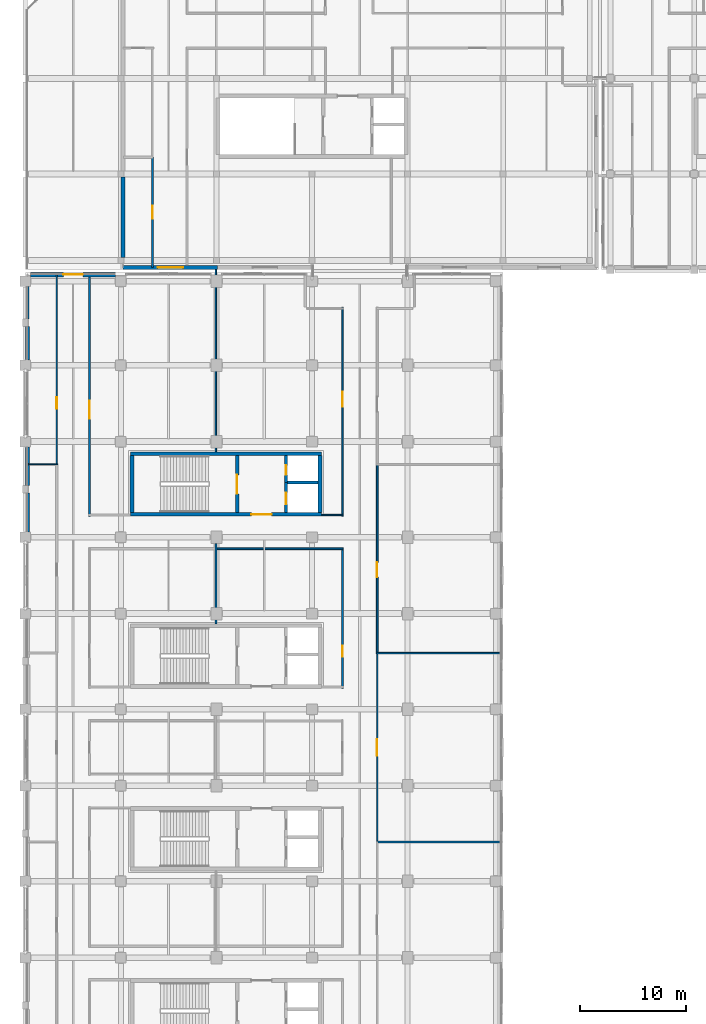
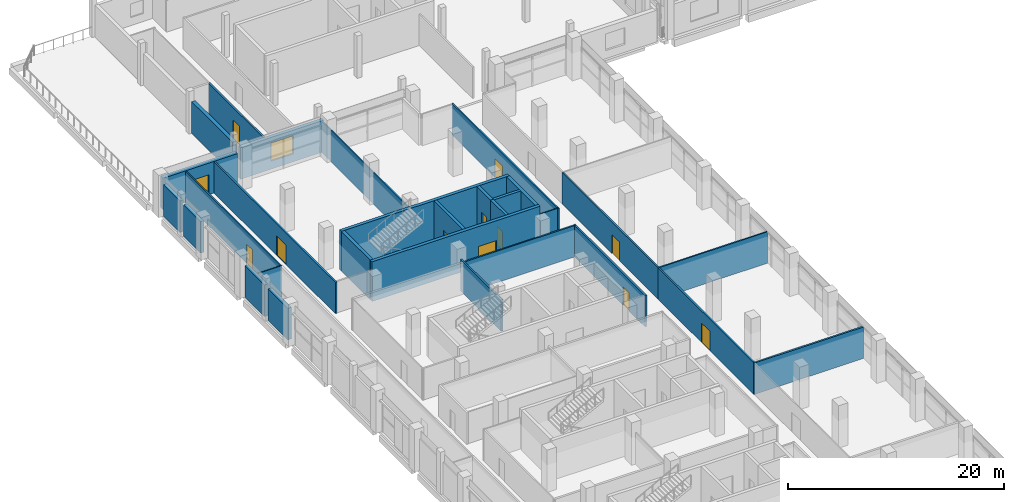
# One storey, part 71 of 111: 29 walls, 12 doors, 1 window, 13 openings.
"""IFC4 building model written with IfcOpenShell, lengths in metres."""

from ifc_helpers import new_model, si_unit, direction, frame, frame_2d, origin, place, context, subcontext, project, spatial, rectangle, extrude, material, layer, layer_set, type_object, element, fill, save


model = new_model("IFC4")

# Units and contexts
model_context = context("Model", 3, precision=1e-05, world=origin(), true_north=direction((0.0, 1.0)))
body_context = subcontext(model_context, "Body", "Model", "MODEL_VIEW")
ifc_project = project(units=[si_unit("LENGTHUNIT", "METRE"), si_unit("AREAUNIT", "SQUARE_METRE"), si_unit("VOLUMEUNIT", "CUBIC_METRE"), si_unit("PLANEANGLEUNIT", "RADIAN"), si_unit("MASSUNIT", "GRAM", prefix="KILO"), si_unit("THERMODYNAMICTEMPERATUREUNIT", "KELVIN"), si_unit("POWERUNIT", "WATT")], contexts=[model_context])

# Site, building, storey
site_placement = place(None, origin())
site = spatial("IfcSite", under=ifc_project, at=site_placement, CompositionType="ELEMENT")
building_placement = place(site_placement, origin())
building = spatial("IfcBuilding", under=site, at=building_placement, Name="Sindhuravela Promenade Stadium", CompositionType="ELEMENT")
storey_placement = place(building_placement, frame((0.0, 0.0, 9.60009765625)))
storey = spatial("IfcBuildingStorey", under=building, at=storey_placement, Name="L02", CompositionType="ELEMENT", Elevation=9.60009765625)

# Walls
ifc_material_1 = material(Name="Terracotta clay brick masonry (15 MPa)", Category="masonry")
ifc_layer_1 = layer(ifc_material_1, 0.340087890625)
ifc_layer_set_1 = layer_set([ifc_layer_1], Name="Terracotta clay brick masonry (15 MPa)")
wall_type_1 = type_object("IfcWallType", Name="EX-WL-BRK340", PredefinedType="SOLIDWALL", material=ifc_layer_set_1)
wall_1_placement = place(storey_placement, frame((0.199951171875, 121.35498046875, 0.0), z_axis=(0.0, 0.0, 1.0), x_axis=(0.0, 1.0, 0.0)))
element("IfcWall", 1, at=wall_1_placement, inside=storey, type_object=wall_type_1, Name="Exterior masonry wall EW06 WEST L02", PredefinedType="SOLIDWALL", context=body_context, shape_type="SweptSolid", body=[
    extrude(rectangle(XDim=3.0400390625, YDim=0.340087890625, at=frame_2d((1.52001953125, 0.0))), origin(), (0.0, 0.0, 1.0), 3.579833984375),
])
ifc_layer_2 = layer(ifc_material_1, 0.360107421875)
ifc_layer_set_2 = layer_set([ifc_layer_2], Name="Terracotta clay brick masonry (15 MPa)")
wall_type_2 = type_object("IfcWallType", Name="EX-WL-BRK360", PredefinedType="SOLIDWALL", material=ifc_layer_set_2)
wall_2_placement = place(storey_placement, frame((0.199951171875, 117.5048828125, 0.0), z_axis=(0.0, 0.0, 1.0), x_axis=(0.0, 1.0, 0.0)))
element("IfcWall", 2, at=wall_2_placement, inside=storey, type_object=wall_type_2, Name="Exterior masonry wall EW05 WEST L02", PredefinedType="SOLIDWALL", context=body_context, shape_type="SweptSolid", body=[
    extrude(rectangle(XDim=3.14013671875, YDim=0.360107421875, at=frame_2d((1.570068359375, 0.0))), origin(), (0.0, 0.0, 1.0), 3.579833984375),
])
ifc_layer_3 = layer(ifc_material_1, 0.3798828125)
ifc_layer_set_3 = layer_set([ifc_layer_3], Name="Terracotta clay brick masonry (15 MPa)")
wall_type_3 = type_object("IfcWallType", Name="EX-WL-BRK380", PredefinedType="SOLIDWALL", material=ifc_layer_set_3)
wall_3_placement = place(storey_placement, frame((0.199951171875, 105.655029296875, 0.0), z_axis=(0.0, 0.0, 1.0), x_axis=(0.0, 1.0, 0.0)))
element("IfcWall", 3, at=wall_3_placement, inside=storey, type_object=wall_type_3, Name="Exterior masonry wall EW04 WEST L02", PredefinedType="SOLIDWALL", context=body_context, shape_type="SweptSolid", body=[
    extrude(rectangle(XDim=3.639892578125, YDim=0.3798828125, at=frame_2d((1.81982421875, 0.0))), origin(), (0.0, 0.0, 1.0), 3.579833984375),
])

# Wall, opening, window
wall_4_placement = place(storey_placement, frame((18.1201171875, 126.199951171875, 0.0), z_axis=(0.0, 0.0, 1.0), x_axis=(-1.0, 0.0, 0.0)))
wall_4 = element("IfcWall", 4, at=wall_4_placement, inside=storey, type_object=wall_type_3, Name="Exterior masonry wall EW04 Pavilion NW L02", PredefinedType="SOLIDWALL", context=body_context, shape_type="SweptSolid", body=[
    extrude(rectangle(XDim=8.920166015625, YDim=0.3798828125, at=frame_2d((4.4599609375, 0.0))), origin(), (0.0, 0.0, 1.0), 3.579833984375),
])
opening_1_placement = place(wall_4_placement, frame((3.260009765625, 0.0, 0.89990234375)))
opening_1 = element("IfcOpeningElement", 5, at=opening_1_placement, cuts=wall_4, Name="Opening W14", PredefinedType="OPENING", context=body_context, shape_type="SweptSolid", body=[
    extrude(rectangle(XDim=2.39990234375, YDim=2.050048828125, at=frame_2d((1.199951171875, 1.02490234375))), frame((0.0, 0.199951171875, 0.0), z_axis=(0.0, -1.0, 0.0), x_axis=(1.0, 0.0, 0.0)), (0.0, 0.0, 1.0), 0.39990234375),
])
ifc_material_2 = material(Name="Tempered laminated low-E glass", Category="glass")
window_type = type_object("IfcWindowType", Name="WN-FAC-2400x2050", PartitioningType="DOUBLE_PANEL_VERTICAL", PredefinedType="WINDOW", material=ifc_material_2)
window_placement = place(opening_1_placement, origin())
window = element("IfcWindow", 6, at=window_placement, inside=storey, type_object=window_type, Name="Window W14 Pavilion NW L02", OverallHeight=2.050048828125, OverallWidth=2.39990234375, PartitioningType="DOUBLE_PANEL_VERTICAL", PredefinedType="WINDOW", context=body_context, shape_type="SweptSolid", body=[
    extrude(rectangle(XDim=2.39990234375, YDim=2.050048828125, at=frame_2d((1.199951171875, 1.02490234375))), frame((0.0, 0.030029296875, 0.0), z_axis=(0.0, -1.0, 0.0), x_axis=(1.0, 0.0, 0.0)), (0.0, 0.0, 1.0), 0.06005859375),
])
fill(opening_1, window)

# Walls
ifc_layer_4 = layer(ifc_material_1, 0.39990234375)
ifc_layer_set_4 = layer_set([ifc_layer_4], Name="Terracotta clay brick masonry (15 MPa)")
wall_type_4 = type_object("IfcWallType", Name="EX-WL-BRK400", PredefinedType="SOLIDWALL", material=ifc_layer_set_4)
wall_5_placement = place(storey_placement, frame((0.199951171875, 101.304931640625, 0.0), z_axis=(0.0, 0.0, 1.0), x_axis=(0.0, 1.0, 0.0)))
element("IfcWall", 7, at=wall_5_placement, inside=storey, type_object=wall_type_4, Name="Exterior masonry wall EW03 WEST L02", PredefinedType="SOLIDWALL", context=body_context, shape_type="SweptSolid", body=[
    extrude(rectangle(XDim=3.64013671875, YDim=0.39990234375, at=frame_2d((1.820068359375, 0.0))), origin(), (0.0, 0.0, 1.0), 3.579833984375),
])
wall_6_placement = place(storey_placement, frame((9.199951171875, 127.1298828125, 0.0), z_axis=(0.0, 0.0, 1.0), x_axis=(0.0, 1.0, 0.0)))
element("IfcWall", 8, at=wall_6_placement, inside=storey, type_object=wall_type_4, Name="Exterior masonry wall EW03 Pavilion NW L02", PredefinedType="SOLIDWALL", context=body_context, shape_type="SweptSolid", body=[
    extrude(rectangle(XDim=7.590087890625, YDim=0.39990234375, at=frame_2d((3.794921875, 0.0))), origin(), (0.0, 0.0, 1.0), 3.579833984375),
])

# Wall, opening, door
ifc_layer_5 = layer(ifc_material_1, 0.4599609375)
ifc_layer_set_5 = layer_set([ifc_layer_5], Name="Terracotta clay brick masonry (15 MPa)")
wall_type_5 = type_object("IfcWallType", Name="EX-WL-BRK460", PredefinedType="SOLIDWALL", material=ifc_layer_set_5)
wall_7_placement = place(storey_placement, frame((0.5048828125, 125.550048828125, 0.0), z_axis=(0.0, 0.0, 1.0), x_axis=(1.0, 0.0, 0.0)))
wall_7 = element("IfcWall", 9, at=wall_7_placement, inside=storey, type_object=wall_type_5, Name="Exterior masonry wall EW01 WEST L02", PredefinedType="SOLIDWALL", context=body_context, shape_type="SweptSolid", body=[
    extrude(rectangle(XDim=7.990234375, YDim=0.4599609375, at=frame_2d((3.9951171875, 0.0))), origin(), (0.0, 0.0, 1.0), 3.579833984375),
])
opening_2_placement = place(wall_7_placement, frame((3.070068359375, 0.0, 0.0)))
opening_2 = element("IfcOpeningElement", 10, at=opening_2_placement, cuts=wall_7, Name="Opening TD02", PredefinedType="OPENING", context=body_context, shape_type="SweptSolid", body=[
    extrude(rectangle(XDim=1.85009765625, YDim=2.25, at=frame_2d((0.925048828125, 1.125))), frame((0.0, 0.239990234375, 0.0), z_axis=(0.0, -1.0, 0.0), x_axis=(1.0, 0.0, 0.0)), (0.0, 0.0, 1.0), 0.47998046875),
])
ifc_material_3 = material(Name="Anodised architectural aluminium 6063-T6", Category="aluminium")
door_type_1 = type_object("IfcDoorType", Name="DR-TER-1850x2250", OperationType="DOUBLE_DOOR_SINGLE_SWING", PredefinedType="DOOR", material=ifc_material_3)
door_1_placement = place(opening_2_placement, origin())
door_1 = element("IfcDoor", 11, at=door_1_placement, inside=storey, type_object=door_type_1, Name="Terrace access door NW Pavilion West Terrace", OperationType="DOUBLE_DOOR_SINGLE_SWING", OverallHeight=2.25, OverallWidth=1.85009765625, PredefinedType="DOOR", context=body_context, shape_type="SweptSolid", body=[
    extrude(rectangle(XDim=1.85009765625, YDim=2.25, at=frame_2d((0.925048828125, 1.125))), frame((0.0, 0.02490234375, 0.0), z_axis=(0.0, -1.0, 0.0), x_axis=(1.0, 0.0, 0.0)), (0.0, 0.0, 1.0), 0.050048828125),
])
fill(opening_2, door_1)

# Walls
ifc_material_4 = material(Name="Fire-rated gypsum partition board", Category="gypsum")
ifc_layer_6 = layer(ifc_material_4, 0.110107421875)
ifc_layer_set_6 = layer_set([ifc_layer_6], Name="Fire-rated gypsum partition board")
wall_type_6 = type_object("IfcWallType", Name="IN-WL-PAR110", PredefinedType="PARTITIONING", material=ifc_layer_set_6)
wall_8_placement = place(storey_placement, frame((29.93994140625, 102.889892578125, 0.0), z_axis=(0.0, 0.0, 1.0), x_axis=(-1.0, 0.0, 0.0)))
element("IfcWall", 12, at=wall_8_placement, inside=storey, type_object=wall_type_6, Name="Interior partition IW06 WEST L02", PredefinedType="PARTITIONING", context=body_context, shape_type="SweptSolid", body=[
    extrude(rectangle(XDim=2.037841796875, YDim=0.110107421875, at=frame_2d((1.01904296875, 0.0))), origin(), (0.0, 0.0, 1.0), 3.559814453125),
])
wall_9_placement = place(storey_placement, frame((3.0400390625, 107.657958984375, 0.0), z_axis=(0.0, 0.0, 1.0), x_axis=(-1.0, 0.0, 0.0)))
element("IfcWall", 13, at=wall_9_placement, inside=storey, type_object=wall_type_6, Name="Interior partition IW06 WEST L02", PredefinedType="PARTITIONING", context=body_context, shape_type="SweptSolid", body=[
    extrude(rectangle(XDim=2.800048828125, YDim=0.110107421875, at=frame_2d((1.39990234375, 0.0))), origin(), (0.0, 0.0, 1.0), 3.559814453125),
])
ifc_layer_7 = layer(ifc_material_4, 0.1298828125)
ifc_layer_set_7 = layer_set([ifc_layer_7], Name="Fire-rated gypsum partition board")
wall_type_7 = type_object("IfcWallType", Name="IN-WL-PAR130", PredefinedType="PARTITIONING", material=ifc_layer_set_7)
wall_10_placement = place(storey_placement, frame((17.949951171875, 126.007080078125, 0.0), z_axis=(0.0, 0.0, 1.0), x_axis=(0.0, -1.0, 0.0)))
element("IfcWall", 14, at=wall_10_placement, inside=storey, type_object=wall_type_7, Name="Interior partition IW05 WEST L02", PredefinedType="PARTITIONING", context=body_context, shape_type="SweptSolid", body=[
    extrude(rectangle(XDim=17.18017578125, YDim=0.1298828125, at=frame_2d((8.590087890625, 0.0))), origin(), (0.0, 0.0, 1.0), 3.559814453125),
])

# Wall, opening, door
wall_11_placement = place(storey_placement, frame((2.9599609375, 107.657958984375, 0.0), z_axis=(0.0, 0.0, 1.0), x_axis=(0.0, 1.0, 0.0)))
wall_11 = element("IfcWall", 15, at=wall_11_placement, inside=storey, type_object=wall_type_7, Name="Corridor partition IW05 Members Dining Hall West 10", PredefinedType="PARTITIONING", context=body_context, shape_type="SweptSolid", body=[
    extrude(rectangle(XDim=17.89208984375, YDim=0.1298828125, at=frame_2d((8.946044921875, 0.0))), origin(), (0.0, 0.0, 1.0), 3.559814453125),
])
opening_3_placement = place(wall_11_placement, frame((5.228515625, 0.0, 0.0)))
opening_3 = element("IfcOpeningElement", 16, at=opening_3_placement, cuts=wall_11, Name="Opening ID12", PredefinedType="OPENING", context=body_context, shape_type="SweptSolid", body=[
    extrude(rectangle(XDim=1.080078125, YDim=2.179931640625, at=frame_2d((0.5400390625, 1.08984375))), frame((0.0, 0.074951171875, 0.0), z_axis=(0.0, -1.0, 0.0), x_axis=(1.0, 0.0, 0.0)), (0.0, 0.0, 1.0), 0.14990234375),
])
ifc_material_5 = material(Name="Architectural teak timber leaf", Category="wood")
door_type_2 = type_object("IfcDoorType", Name="DR-INT-1080x2180", OperationType="NOTDEFINED", PredefinedType="DOOR", material=ifc_material_5)
door_2_placement = place(opening_3_placement, origin())
door_2 = element("IfcDoor", 17, at=door_2_placement, inside=storey, type_object=door_type_2, Name="Members Dining Hall West 10 door", OperationType="SINGLE_SWING_LEFT", OverallHeight=2.179931640625, OverallWidth=1.080078125, PredefinedType="DOOR", context=body_context, shape_type="SweptSolid", body=[
    extrude(rectangle(XDim=1.080078125, YDim=2.179931640625, at=frame_2d((0.5400390625, 1.08984375))), frame((0.0, 0.02490234375, 0.0), z_axis=(0.0, -1.0, 0.0), x_axis=(1.0, 0.0, 0.0)), (0.0, 0.0, 1.0), 0.050048828125),
])
fill(opening_3, door_2)

# Wall
ifc_layer_8 = layer(ifc_material_4, 0.14990234375)
ifc_layer_set_8 = layer_set([ifc_layer_8], Name="Fire-rated gypsum partition board")
wall_type_8 = type_object("IfcWallType", Name="IN-WL-PAR150", PredefinedType="PARTITIONING", material=ifc_layer_set_8)
wall_12_placement = place(storey_placement, frame((44.76708984375, 89.885986328125, 0.0), z_axis=(0.0, 0.0, 1.0), x_axis=(-1.0, 0.0, 0.0)))
element("IfcWall", 18, at=wall_12_placement, inside=storey, type_object=wall_type_8, Name="Interior partition IW04 WEST L02", PredefinedType="PARTITIONING", context=body_context, shape_type="SweptSolid", body=[
    extrude(rectangle(XDim=11.70703125, YDim=0.14990234375, at=frame_2d((5.853515625, 0.0))), origin(), (0.0, 0.0, 1.0), 3.559814453125),
])

# Wall, opening, door
wall_13_placement = place(storey_placement, frame((29.860107421875, 102.77001953125, 0.0), z_axis=(0.0, 0.0, 1.0), x_axis=(0.0, 1.0, 0.0)))
wall_13 = element("IfcWall", 19, at=wall_13_placement, inside=storey, type_object=wall_type_8, Name="Corridor partition IW04 VIP Coat and Concierge Room", PredefinedType="PARTITIONING", context=body_context, shape_type="SweptSolid", body=[
    extrude(rectangle(XDim=19.68994140625, YDim=0.14990234375, at=frame_2d((9.844970703125, 0.0))), origin(), (0.0, 0.0, 1.0), 3.559814453125),
])
opening_4_placement = place(wall_13_placement, frame((10.31201171875, 0.0, 0.0)))
opening_4 = element("IfcOpeningElement", 20, at=opening_4_placement, cuts=wall_13, Name="Opening ID03", PredefinedType="OPENING", context=body_context, shape_type="SweptSolid", body=[
    extrude(rectangle(XDim=1.39990234375, YDim=2.14990234375, at=frame_2d((0.699951171875, 1.074951171875))), frame((0.0, 0.0849609375, 0.0), z_axis=(0.0, -1.0, 0.0), x_axis=(1.0, 0.0, 0.0)), (0.0, 0.0, 1.0), 0.169921875),
])
door_type_3 = type_object("IfcDoorType", Name="DR-INT-1400x2150", OperationType="DOUBLE_DOOR_SINGLE_SWING", PredefinedType="DOOR", material=ifc_material_5)
door_3_placement = place(opening_4_placement, origin())
door_3 = element("IfcDoor", 21, at=door_3_placement, inside=storey, type_object=door_type_3, Name="VIP Coat and Concierge Room door", OperationType="DOUBLE_DOOR_SINGLE_SWING", OverallHeight=2.14990234375, OverallWidth=1.39990234375, PredefinedType="DOOR", context=body_context, shape_type="SweptSolid", body=[
    extrude(rectangle(XDim=1.39990234375, YDim=2.14990234375, at=frame_2d((0.699951171875, 1.074951171875))), frame((0.0, 0.02490234375, 0.0), z_axis=(0.0, -1.0, 0.0), x_axis=(1.0, 0.0, 0.0)), (0.0, 0.0, 1.0), 0.050048828125),
])
fill(opening_4, door_3)

# Wall
wall_14_placement = place(storey_placement, frame((17.989990234375, 99.7099609375, 0.0), z_axis=(0.0, 0.0, 1.0), x_axis=(1.0, 0.0, 0.0)))
element("IfcWall", 22, at=wall_14_placement, inside=storey, type_object=wall_type_8, Name="Interior partition IW04 WEST L02", PredefinedType="PARTITIONING", context=body_context, shape_type="SweptSolid", body=[
    extrude(rectangle(XDim=11.949951171875, YDim=0.14990234375, at=frame_2d((5.97509765625, 0.0))), origin(), (0.0, 0.0, 1.0), 3.559814453125),
])

# Wall, opening, door
ifc_layer_9 = layer(ifc_material_4, 0.175048828125)
ifc_layer_set_9 = layer_set([ifc_layer_9], Name="Fire-rated gypsum partition board")
wall_type_9 = type_object("IfcWallType", Name="IN-WL-PAR175", PredefinedType="PARTITIONING", material=ifc_layer_set_9)
wall_15_placement = place(storey_placement, frame((6.0400390625, 125.550048828125, 0.0), z_axis=(0.0, 0.0, 1.0), x_axis=(0.0, -1.0, 0.0)))
wall_15 = element("IfcWall", 23, at=wall_15_placement, inside=storey, type_object=wall_type_9, Name="Corridor partition IW03 Club Tier Fixed Seating Stands West", PredefinedType="PARTITIONING", context=body_context, shape_type="SweptSolid", body=[
    extrude(rectangle(XDim=22.780029296875, YDim=0.175048828125, at=frame_2d((11.39013671875, 0.0))), origin(), (0.0, 0.0, 1.0), 3.559814453125),
])
opening_5_placement = place(wall_15_placement, frame((11.892333984375, 0.0, 0.0)))
opening_5 = element("IfcOpeningElement", 24, at=opening_5_placement, cuts=wall_15, Name="Opening ID01", PredefinedType="OPENING", context=body_context, shape_type="SweptSolid", body=[
    extrude(rectangle(XDim=1.699951171875, YDim=2.199951171875, at=frame_2d((0.85009765625, 1.10009765625))), frame((0.0, 0.097412109375, 0.0), z_axis=(0.0, -1.0, 0.0), x_axis=(1.0, 0.0, 0.0)), (0.0, 0.0, 1.0), 0.195068359375),
])
door_type_4 = type_object("IfcDoorType", Name="DR-INT-1700x2200", OperationType="DOUBLE_DOOR_SINGLE_SWING", PredefinedType="DOOR", material=ifc_material_5)
door_4_placement = place(opening_5_placement, origin())
door_4 = element("IfcDoor", 25, at=door_4_placement, inside=storey, type_object=door_type_4, Name="Club Tier Fixed Seating Stands West door", OperationType="DOUBLE_DOOR_SINGLE_SWING", OverallHeight=2.199951171875, OverallWidth=1.699951171875, PredefinedType="DOOR", context=body_context, shape_type="SweptSolid", body=[
    extrude(rectangle(XDim=1.699951171875, YDim=2.199951171875, at=frame_2d((0.85009765625, 1.10009765625))), frame((0.0, 0.02490234375, 0.0), z_axis=(0.0, -1.0, 0.0), x_axis=(1.0, 0.0, 0.0)), (0.0, 0.0, 1.0), 0.050048828125),
])
fill(opening_5, door_4)

wall_16_placement = place(storey_placement, frame((33.139892578125, 107.657958984375, 0.0), z_axis=(0.0, 0.0, 1.0), x_axis=(0.0, -1.0, 0.0)))
wall_16 = element("IfcWall", 26, at=wall_16_placement, inside=storey, type_object=wall_type_9, Name="Corridor partition IW03 Members Dining Hall West", PredefinedType="PARTITIONING", context=body_context, shape_type="SweptSolid", body=[
    extrude(rectangle(XDim=17.77197265625, YDim=0.175048828125, at=frame_2d((8.885986328125, 0.0))), origin(), (0.0, 0.0, 1.0), 3.559814453125),
])
opening_6_placement = place(wall_16_placement, frame((9.23779296875, 0.0, 0.0)))
opening_6 = element("IfcOpeningElement", 27, at=opening_6_placement, cuts=wall_16, Name="Opening ID03", PredefinedType="OPENING", context=body_context, shape_type="SweptSolid", body=[
    extrude(rectangle(XDim=1.39990234375, YDim=2.14990234375, at=frame_2d((0.699951171875, 1.074951171875))), frame((0.0, 0.097412109375, 0.0), z_axis=(0.0, -1.0, 0.0), x_axis=(1.0, 0.0, 0.0)), (0.0, 0.0, 1.0), 0.195068359375),
])
door_5_placement = place(opening_6_placement, origin())
door_5 = element("IfcDoor", 28, at=door_5_placement, inside=storey, type_object=door_type_3, Name="Members Dining Hall West door", OperationType="DOUBLE_DOOR_SINGLE_SWING", OverallHeight=2.14990234375, OverallWidth=1.39990234375, PredefinedType="DOOR", context=body_context, shape_type="SweptSolid", body=[
    extrude(rectangle(XDim=1.39990234375, YDim=2.14990234375, at=frame_2d((0.699951171875, 1.074951171875))), frame((0.0, 0.02490234375, 0.0), z_axis=(0.0, -1.0, 0.0), x_axis=(1.0, 0.0, 0.0)), (0.0, 0.0, 1.0), 0.050048828125),
])
fill(opening_6, door_5)

wall_17_placement = place(storey_placement, frame((33.139892578125, 89.885986328125, 0.0), z_axis=(0.0, 0.0, 1.0), x_axis=(0.0, -1.0, 0.0)))
wall_17 = element("IfcWall", 29, at=wall_17_placement, inside=storey, type_object=wall_type_9, Name="Corridor partition IW03 Directors Reception Lounge", PredefinedType="PARTITIONING", context=body_context, shape_type="SweptSolid", body=[
    extrude(rectangle(XDim=17.77197265625, YDim=0.175048828125, at=frame_2d((8.885986328125, 0.0))), origin(), (0.0, 0.0, 1.0), 3.559814453125),
])
opening_7_placement = place(wall_17_placement, frame((8.111083984375, 0.0, 0.0)))
opening_7 = element("IfcOpeningElement", 30, at=opening_7_placement, cuts=wall_17, Name="Opening ID02", PredefinedType="OPENING", context=body_context, shape_type="SweptSolid", body=[
    extrude(rectangle(XDim=1.550048828125, YDim=2.199951171875, at=frame_2d((0.77490234375, 1.10009765625))), frame((0.0, 0.097412109375, 0.0), z_axis=(0.0, -1.0, 0.0), x_axis=(1.0, 0.0, 0.0)), (0.0, 0.0, 1.0), 0.195068359375),
])
door_type_5 = type_object("IfcDoorType", Name="DR-INT-1550x2200", OperationType="DOUBLE_DOOR_SINGLE_SWING", PredefinedType="DOOR", material=ifc_material_5)
door_6_placement = place(opening_7_placement, origin())
door_6 = element("IfcDoor", 31, at=door_6_placement, inside=storey, type_object=door_type_5, Name="Directors Reception Lounge door", OperationType="DOUBLE_DOOR_SINGLE_SWING", OverallHeight=2.199951171875, OverallWidth=1.550048828125, PredefinedType="DOOR", context=body_context, shape_type="SweptSolid", body=[
    extrude(rectangle(XDim=1.550048828125, YDim=2.199951171875, at=frame_2d((0.77490234375, 1.10009765625))), frame((0.0, 0.02490234375, 0.0), z_axis=(0.0, -1.0, 0.0), x_axis=(1.0, 0.0, 0.0)), (0.0, 0.0, 1.0), 0.050048828125),
])
fill(opening_7, door_6)

# Walls
ifc_layer_10 = layer(ifc_material_4, 0.195068359375)
ifc_layer_set_10 = layer_set([ifc_layer_10], Name="Fire-rated gypsum partition board")
wall_type_10 = type_object("IfcWallType", Name="IN-WL-PAR195", PredefinedType="PARTITIONING", material=ifc_layer_set_10)
wall_18_placement = place(storey_placement, frame((33.06005859375, 72.114013671875, 0.0), z_axis=(0.0, 0.0, 1.0), x_axis=(1.0, 0.0, 0.0)))
element("IfcWall", 32, at=wall_18_placement, inside=storey, type_object=wall_type_10, Name="Interior partition IW02 WEST L02", PredefinedType="PARTITIONING", context=body_context, shape_type="SweptSolid", body=[
    extrude(rectangle(XDim=11.70703125, YDim=0.195068359375, at=frame_2d((5.853515625, 0.0))), origin(), (0.0, 0.0, 1.0), 3.559814453125),
])
wall_19_placement = place(storey_placement, frame((17.949951171875, 100.197998046875, 0.0), z_axis=(0.0, 0.0, 1.0), x_axis=(0.0, -1.0, 0.0)))
element("IfcWall", 33, at=wall_19_placement, inside=storey, type_object=wall_type_10, Name="Interior partition IW02 WEST L02", PredefinedType="PARTITIONING", context=body_context, shape_type="SweptSolid", body=[
    extrude(rectangle(XDim=7.571044921875, YDim=0.195068359375, at=frame_2d((3.78564453125, 0.0))), origin(), (0.0, 0.0, 1.0), 3.559814453125),
])

# Wall, opening, door
wall_20_placement = place(storey_placement, frame((29.860107421875, 86.570068359375, 0.0), z_axis=(0.0, 0.0, 1.0), x_axis=(0.0, 1.0, 0.0)))
wall_20 = element("IfcWall", 34, at=wall_20_placement, inside=storey, type_object=wall_type_10, Name="Corridor partition IW02 Directors Reception Lounge 5", PredefinedType="PARTITIONING", context=body_context, shape_type="SweptSolid", body=[
    extrude(rectangle(XDim=13.260009765625, YDim=0.195068359375, at=frame_2d((6.6298828125, 0.0))), origin(), (0.0, 0.0, 1.0), 3.559814453125),
])
opening_8_placement = place(wall_20_placement, frame((2.980224609375, 0.0, 0.0)))
opening_8 = element("IfcOpeningElement", 35, at=opening_8_placement, cuts=wall_20, Name="Opening ID07", PredefinedType="OPENING", context=body_context, shape_type="SweptSolid", body=[
    extrude(rectangle(XDim=1.050048828125, YDim=2.10009765625, at=frame_2d((0.52490234375, 1.050048828125))), frame((0.0, 0.107421875, 0.0), z_axis=(0.0, -1.0, 0.0), x_axis=(1.0, 0.0, 0.0)), (0.0, 0.0, 1.0), 0.215087890625),
])
door_type_6 = type_object("IfcDoorType", Name="DR-INT-1050x2100", OperationType="NOTDEFINED", PredefinedType="DOOR", material=ifc_material_5)
door_7_placement = place(opening_8_placement, origin())
door_7 = element("IfcDoor", 36, at=door_7_placement, inside=storey, type_object=door_type_6, Name="Directors Reception Lounge 5 door", OperationType="SINGLE_SWING_RIGHT", OverallHeight=2.10009765625, OverallWidth=1.050048828125, PredefinedType="DOOR", context=body_context, shape_type="SweptSolid", body=[
    extrude(rectangle(XDim=1.050048828125, YDim=2.10009765625, at=frame_2d((0.52490234375, 1.050048828125))), frame((0.0, 0.02490234375, 0.0), z_axis=(0.0, -1.0, 0.0), x_axis=(1.0, 0.0, 0.0)), (0.0, 0.0, 1.0), 0.050048828125),
])
fill(opening_8, door_7)

wall_21_placement = place(storey_placement, frame((11.9599609375, 126.199951171875, 0.0), z_axis=(0.0, 0.0, 1.0), x_axis=(0.0, 1.0, 0.0)))
wall_21 = element("IfcWall", 37, at=wall_21_placement, inside=storey, type_object=wall_type_10, Name="Corridor partition IW02 Accessible WC NW L02 4", PredefinedType="PARTITIONING", context=body_context, shape_type="SweptSolid", body=[
    extrude(rectangle(XDim=10.39013671875, YDim=0.195068359375, at=frame_2d((5.195068359375, 0.0))), origin(), (0.0, 0.0, 1.0), 3.559814453125),
])
opening_9_placement = place(wall_21_placement, frame((4.570068359375, 0.0, 0.0)))
opening_9 = element("IfcOpeningElement", 38, at=opening_9_placement, cuts=wall_21, Name="Opening ID04", PredefinedType="OPENING", context=body_context, shape_type="SweptSolid", body=[
    extrude(rectangle(XDim=1.25, YDim=2.14990234375, at=frame_2d((0.625, 1.074951171875))), frame((0.0, 0.107421875, 0.0), z_axis=(0.0, -1.0, 0.0), x_axis=(1.0, 0.0, 0.0)), (0.0, 0.0, 1.0), 0.215087890625),
])
door_type_7 = type_object("IfcDoorType", Name="DR-INT-1250x2150", OperationType="NOTDEFINED", PredefinedType="DOOR", material=ifc_material_5)
door_8_placement = place(opening_9_placement, origin())
door_8 = element("IfcDoor", 39, at=door_8_placement, inside=storey, type_object=door_type_7, Name="Accessible WC NW L02 4 door", OperationType="SINGLE_SWING_RIGHT", OverallHeight=2.14990234375, OverallWidth=1.25, PredefinedType="DOOR", context=body_context, shape_type="SweptSolid", body=[
    extrude(rectangle(XDim=1.25, YDim=2.14990234375, at=frame_2d((0.625, 1.074951171875))), frame((0.0, 0.02490234375, 0.0), z_axis=(0.0, -1.0, 0.0), x_axis=(1.0, 0.0, 0.0)), (0.0, 0.0, 1.0), 0.050048828125),
])
fill(opening_9, door_8)

ifc_material_6 = material(Name="Concrete M50", Category="concrete")
ifc_layer_11 = layer(ifc_material_6, 0.300048828125)
ifc_layer_set_11 = layer_set([ifc_layer_11], Name="Concrete M50")
wall_type_11 = type_object("IfcWallType", Name="RC-SW-300", PredefinedType="SHEAR", material=ifc_layer_set_11)
wall_22_placement = place(storey_placement, frame((19.949951171875, 103.125, 0.0), z_axis=(0.0, 0.0, 1.0), x_axis=(0.0, 1.0, 0.0)))
wall_22 = element("IfcWall", 40, at=wall_22_placement, inside=storey, type_object=wall_type_11, Name="Core shear wall C04-ST (L02)", PredefinedType="SHEAR", context=body_context, shape_type="SweptSolid", body=[
    extrude(rectangle(XDim=5.35009765625, YDim=0.300048828125, at=frame_2d((2.675048828125, 0.0))), origin(), (0.0, 0.0, 1.0), 4.5),
])
opening_10_placement = place(wall_22_placement, frame((1.75, 0.0, 0.0)))
opening_10 = element("IfcOpeningElement", 41, at=opening_10_placement, cuts=wall_22, Name="Opening FD01", PredefinedType="OPENING", context=body_context, shape_type="SweptSolid", body=[
    extrude(rectangle(XDim=1.800048828125, YDim=2.25, at=frame_2d((0.89990234375, 1.125))), frame((0.0, 0.159912109375, 0.0), z_axis=(0.0, -1.0, 0.0), x_axis=(1.0, 0.0, 0.0)), (0.0, 0.0, 1.0), 0.320068359375),
])
ifc_material_7 = material(Name="Architectural wrought steel E350", Category="steel")
door_type_8 = type_object("IfcDoorType", Name="DR-CORE-1800x2250", OperationType="DOUBLE_DOOR_SINGLE_SWING", PredefinedType="DOOR", material=ifc_material_7)
door_9_placement = place(opening_10_placement, origin())
door_9 = element("IfcDoor", 42, at=door_9_placement, inside=storey, type_object=door_type_8, Name="Stair ST04 lobby fire door (L02)", OperationType="DOUBLE_DOOR_SINGLE_SWING", OverallHeight=2.25, OverallWidth=1.800048828125, PredefinedType="DOOR", context=body_context, shape_type="SweptSolid", body=[
    extrude(rectangle(XDim=1.800048828125, YDim=2.25, at=frame_2d((0.89990234375, 1.125))), frame((0.0, 0.02490234375, 0.0), z_axis=(0.0, -1.0, 0.0), x_axis=(1.0, 0.0, 0.0)), (0.0, 0.0, 1.0), 0.050048828125),
])
fill(opening_10, door_9)

wall_23_placement = place(storey_placement, frame((24.550048828125, 103.125, 0.0), z_axis=(0.0, 0.0, 1.0), x_axis=(0.0, 1.0, 0.0)))
wall_23 = element("IfcWall", 43, at=wall_23_placement, inside=storey, type_object=wall_type_11, Name="Core shear wall C04-LFT (L02)", PredefinedType="SHEAR", context=body_context, shape_type="SweptSolid", body=[
    extrude(rectangle(XDim=2.824951171875, YDim=0.300048828125, at=frame_2d((1.41259765625, 0.0))), origin(), (0.0, 0.0, 1.0), 4.5),
])
opening_11_placement = place(wall_23_placement, frame((0.77490234375, 0.0, 0.0)))
opening_11 = element("IfcOpeningElement", 44, at=opening_11_placement, cuts=wall_23, Name="Opening LD", PredefinedType="OPENING", context=body_context, shape_type="SweptSolid", body=[
    extrude(rectangle(XDim=1.10009765625, YDim=2.10009765625, at=frame_2d((0.550048828125, 1.050048828125))), frame((0.0, 0.159912109375, 0.0), z_axis=(0.0, -1.0, 0.0), x_axis=(1.0, 0.0, 0.0)), (0.0, 0.0, 1.0), 0.320068359375),
])
door_type_9 = type_object("IfcDoorType", Name="DR-LFT-1100x2100", OperationType="DOUBLE_DOOR_SLIDING", PredefinedType="DOOR", material=ifc_material_7)
door_10_placement = place(opening_11_placement, origin())
door_10 = element("IfcDoor", 45, at=door_10_placement, inside=storey, type_object=door_type_9, Name="Lift FL04 landing door (L02)", OperationType="DOUBLE_DOOR_SLIDING", OverallHeight=2.10009765625, OverallWidth=1.10009765625, PredefinedType="DOOR", context=body_context, shape_type="SweptSolid", body=[
    extrude(rectangle(XDim=1.10009765625, YDim=2.10009765625, at=frame_2d((0.550048828125, 1.050048828125))), frame((0.0, 0.02490234375, 0.0), z_axis=(0.0, -1.0, 0.0), x_axis=(1.0, 0.0, 0.0)), (0.0, 0.0, 1.0), 0.050048828125),
])
fill(opening_11, door_10)

wall_24_placement = place(storey_placement, frame((24.550048828125, 105.949951171875, 0.0), z_axis=(0.0, 0.0, 1.0), x_axis=(0.0, 1.0, 0.0)))
wall_24 = element("IfcWall", 46, at=wall_24_placement, inside=storey, type_object=wall_type_11, Name="Core shear wall C04-RSR (L02)", PredefinedType="SHEAR", context=body_context, shape_type="SweptSolid", body=[
    extrude(rectangle(XDim=2.525146484375, YDim=0.300048828125, at=frame_2d((1.2626953125, 0.0))), origin(), (0.0, 0.0, 1.0), 4.5),
])
opening_12_placement = place(wall_24_placement, frame((0.72509765625, 0.0, 0.0)))
opening_12 = element("IfcOpeningElement", 47, at=opening_12_placement, cuts=wall_24, Name="Opening FD03", PredefinedType="OPENING", context=body_context, shape_type="SweptSolid", body=[
    extrude(rectangle(XDim=0.89990234375, YDim=2.10009765625, at=frame_2d((0.449951171875, 1.050048828125))), frame((0.0, 0.159912109375, 0.0), z_axis=(0.0, -1.0, 0.0), x_axis=(1.0, 0.0, 0.0)), (0.0, 0.0, 1.0), 0.320068359375),
])
door_type_10 = type_object("IfcDoorType", Name="DR-RSR-900x2100", OperationType="NOTDEFINED", PredefinedType="DOOR", material=ifc_material_7)
door_11_placement = place(opening_12_placement, origin())
door_11 = element("IfcDoor", 48, at=door_11_placement, inside=storey, type_object=door_type_10, Name="Riser shaft access door C04 (L02)", OperationType="SINGLE_SWING_LEFT", OverallHeight=2.10009765625, OverallWidth=0.89990234375, PredefinedType="DOOR", context=body_context, shape_type="SweptSolid", body=[
    extrude(rectangle(XDim=0.89990234375, YDim=2.10009765625, at=frame_2d((0.449951171875, 1.050048828125))), frame((0.0, 0.02490234375, 0.0), z_axis=(0.0, -1.0, 0.0), x_axis=(1.0, 0.0, 0.0)), (0.0, 0.0, 1.0), 0.050048828125),
])
fill(opening_12, door_11)

# Wall
wall_25_placement = place(storey_placement, frame((24.699951171875, 105.949951171875, 0.0), z_axis=(0.0, 0.0, 1.0), x_axis=(1.0, 0.0, 0.0)))
element("IfcWall", 49, at=wall_25_placement, inside=storey, type_object=wall_type_11, Name="Core shear wall C04-DIV (L02)", PredefinedType="SHEAR", context=body_context, shape_type="SweptSolid", body=[
    extrude(rectangle(XDim=2.875, YDim=0.300048828125, at=frame_2d((1.4375, 0.0))), origin(), (0.0, 0.0, 1.0), 4.5),
])

# Wall, opening, door
ifc_layer_12 = layer(ifc_material_6, 0.35009765625)
ifc_layer_set_12 = layer_set([ifc_layer_12], Name="Concrete M50")
wall_type_12 = type_object("IfcWallType", Name="RC-SW-350", PredefinedType="SHEAR", material=ifc_layer_set_12)
wall_26_placement = place(storey_placement, frame((9.89990234375, 102.949951171875, 0.0), z_axis=(0.0, 0.0, 1.0), x_axis=(1.0, 0.0, 0.0)))
wall_26 = element("IfcWall", 50, at=wall_26_placement, inside=storey, type_object=wall_type_12, Name="Core shear wall C04-S (L02)", PredefinedType="SHEAR", context=body_context, shape_type="SweptSolid", body=[
    extrude(rectangle(XDim=18.0, YDim=0.35009765625, at=frame_2d((9.0, 0.0))), origin(), (0.0, 0.0, 1.0), 4.5),
])
opening_13_placement = place(wall_26_placement, frame((11.39990234375, 0.0, 0.0)))
opening_13 = element("IfcOpeningElement", 51, at=opening_13_placement, cuts=wall_26, Name="Opening FD02", PredefinedType="OPENING", context=body_context, shape_type="SweptSolid", body=[
    extrude(rectangle(XDim=1.89990234375, YDim=2.25, at=frame_2d((0.949951171875, 1.125))), frame((0.0, 0.18505859375, 0.0), z_axis=(0.0, -1.0, 0.0), x_axis=(1.0, 0.0, 0.0)), (0.0, 0.0, 1.0), 0.3701171875),
])
door_type_11 = type_object("IfcDoorType", Name="DR-LOB-1900x2250", OperationType="DOUBLE_DOOR_SINGLE_SWING", PredefinedType="DOOR", material=ifc_material_7)
door_12_placement = place(opening_13_placement, origin())
door_12 = element("IfcDoor", 52, at=door_12_placement, inside=storey, type_object=door_type_11, Name="Protected lobby entrance door C04 (L02)", OperationType="DOUBLE_DOOR_SINGLE_SWING", OverallHeight=2.25, OverallWidth=1.89990234375, PredefinedType="DOOR", context=body_context, shape_type="SweptSolid", body=[
    extrude(rectangle(XDim=1.89990234375, YDim=2.25, at=frame_2d((0.949951171875, 1.125))), frame((0.0, 0.02490234375, 0.0), z_axis=(0.0, -1.0, 0.0), x_axis=(1.0, 0.0, 0.0)), (0.0, 0.0, 1.0), 0.050048828125),
])
fill(opening_13, door_12)

# Walls
wall_27_placement = place(storey_placement, frame((27.89990234375, 108.64990234375, 0.0), z_axis=(0.0, 0.0, 1.0), x_axis=(-1.0, 0.0, 0.0)))
element("IfcWall", 53, at=wall_27_placement, inside=storey, type_object=wall_type_12, Name="Core shear wall C04-N (L02)", PredefinedType="SHEAR", context=body_context, shape_type="SweptSolid", body=[
    extrude(rectangle(XDim=18.0, YDim=0.35009765625, at=frame_2d((9.0, 0.0))), origin(), (0.0, 0.0, 1.0), 4.5),
])
for number, where, z_axis, x_axis, name in (
    (54, (10.050048828125, 108.47509765625, 0.0), (0.0, 0.0, 1.0), (0.0, -1.0, 0.0), "Core shear wall C04-W (L02)"),
    (55, (27.75, 103.125, 0.0), (0.0, 0.0, 1.0), (0.0, 1.0, 0.0), "Core shear wall C04-E (L02)"),
):
    element("IfcWall", number, at=place(storey_placement, frame(where, z_axis=z_axis, x_axis=x_axis)), inside=storey, type_object=wall_type_12, Name=name, PredefinedType="SHEAR", context=body_context, shape_type="SweptSolid", body=[
        extrude(rectangle(XDim=5.35009765625, YDim=0.35009765625, at=frame_2d((2.675048828125, 0.0))), origin(), (0.0, 0.0, 1.0), 4.5),
    ])

save(model, "model.ifc")
